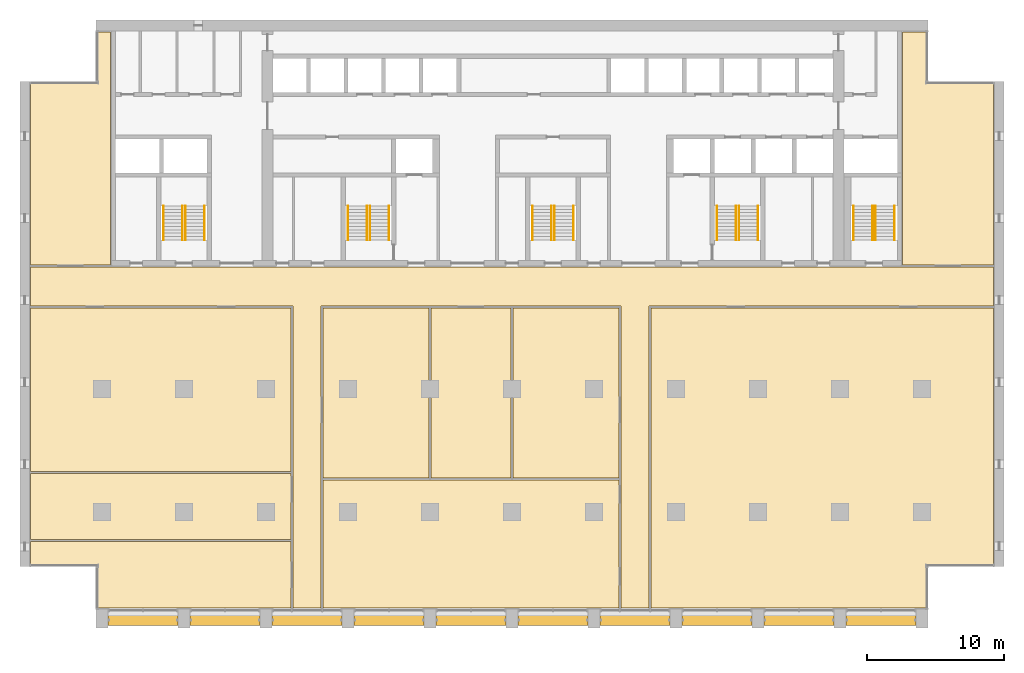
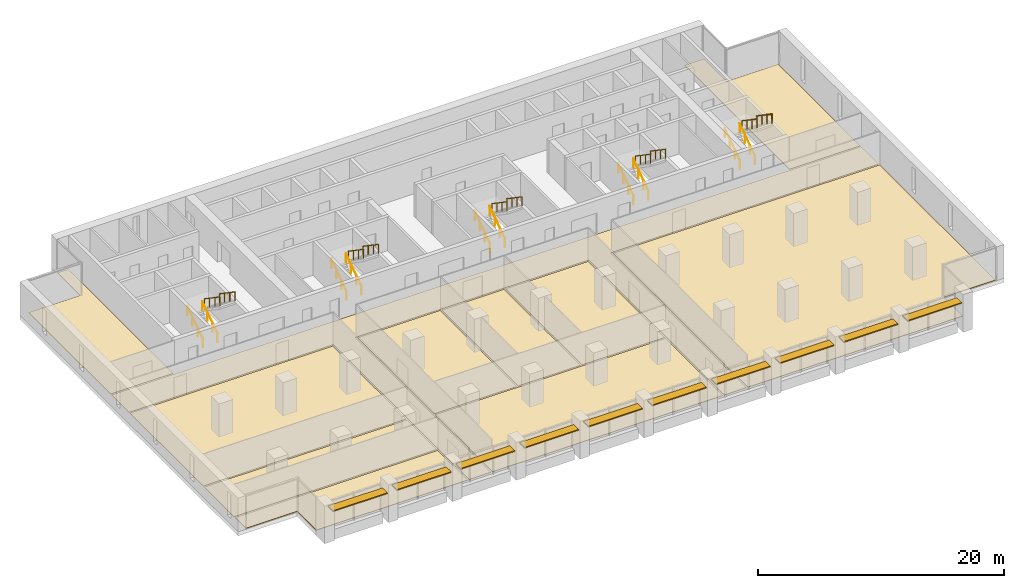
# One storey, part 15 of 15: 20 railings, 11 coverings, 10 shading devices, 5 elements without a shape of their own.
"""IFC4 building model written with IfcOpenShell, lengths in metres."""

from ifc_helpers import new_model, si_unit, direction, frame, origin, origin_2d, place, context, subcontext, project, spatial, polyline, rectangle, circle, outline, extrude, material, layer, layer_set, material_profile, profile_set, type_object, element, aggregate, save


model = new_model("IFC4")

# Units and contexts
model_context = context("Model", 3, precision=1e-05, world=origin(), true_north=direction((0.0, 1.0)))
body_context = subcontext(model_context, "Body", "Model", "MODEL_VIEW")
ifc_project = project(units=[si_unit("LENGTHUNIT", "METRE"), si_unit("AREAUNIT", "SQUARE_METRE"), si_unit("VOLUMEUNIT", "CUBIC_METRE"), si_unit("PLANEANGLEUNIT", "RADIAN"), si_unit("MASSUNIT", "GRAM", prefix="KILO")], contexts=[model_context])

# Site, building, storey
site_placement = place(None, origin())
site = spatial("IfcSite", under=ifc_project, at=site_placement, CompositionType="ELEMENT")
building_placement = place(site_placement, origin())
building = spatial("IfcBuilding", under=site, at=building_placement, Name="Calvaro Tower", CompositionType="ELEMENT")
storey_placement = place(building_placement, frame((0.0, 0.0, 125.0)))
storey = spatial("IfcBuildingStorey", under=building, at=storey_placement, Name="L31", CompositionType="ELEMENT", Elevation=125.0)

# Shading devices
ifc_material_1 = material(Name="Anodised aluminium", Category="aluminium")
ifc_material_profile = material_profile(ifc_material_1, rectangle(XDim=0.800048828125, YDim=0.10009765625, at=origin_2d()), Name="Brise-soleil blade 800 x 100")
ifc_profile_set = profile_set([ifc_material_profile], Name="Anodised aluminium")
shading_device_type = type_object("IfcShadingDeviceType", Name="Brise-soleil blade 800 x 100", PredefinedType="JALOUSIE", material=ifc_profile_set)
for number, where, z_axis, x_axis, name in (
    (1, (6.449951171875, 2.10009765625, 2.39990234375), (1.0, 0.0, 0.0), (0.0, 1.0, 0.0), "Brise-soleil blade 1"),
    (2, (12.449951171875, 2.10009765625, 2.39990234375), (1.0, 0.0, 0.0), (0.0, 1.0, 0.0), "Brise-soleil blade 2"),
    (3, (18.449951171875, 2.10009765625, 2.39990234375), (1.0, 0.0, 0.0), (0.0, 1.0, 0.0), "Brise-soleil blade 3"),
    (4, (24.449951171875, 2.10009765625, 2.39990234375), (1.0, 0.0, 0.0), (0.0, 1.0, 0.0), "Brise-soleil blade 4"),
    (5, (30.449951171875, 2.10009765625, 2.39990234375), (1.0, 0.0, 0.0), (0.0, 1.0, 0.0), "Brise-soleil blade 5"),
    (6, (36.449951171875, 2.10009765625, 2.39990234375), (1.0, 0.0, 0.0), (0.0, 1.0, 0.0), "Brise-soleil blade 6"),
    (7, (42.449951171875, 2.10009765625, 2.39990234375), (1.0, 0.0, 0.0), (0.0, 1.0, 0.0), "Brise-soleil blade 7"),
    (8, (48.449951171875, 2.10009765625, 2.39990234375), (1.0, 0.0, 0.0), (0.0, 1.0, 0.0), "Brise-soleil blade 8"),
    (9, (54.449951171875, 2.10009765625, 2.39990234375), (1.0, 0.0, 0.0), (0.0, 1.0, 0.0), "Brise-soleil blade 9"),
    (10, (60.449951171875, 2.10009765625, 2.39990234375), (1.0, 0.0, 0.0), (0.0, 1.0, 0.0), "Brise-soleil blade 10"),
):
    element("IfcShadingDevice", number, at=place(storey_placement, frame(where, z_axis=z_axis, x_axis=x_axis)), inside=storey, type_object=shading_device_type, Name=name, PredefinedType="JALOUSIE", context=body_context, shape_type="SweptSolid", body=[
        extrude(rectangle(XDim=0.800048828125, YDim=0.10009765625, at=origin_2d()), origin(), (0.0, 0.0, 1.0), 5.10009765625),
    ])

# Coverings
ifc_material_2 = material(Name="Cement screed with carpet tile finish")
ifc_layer = layer(ifc_material_2, 0.050048828125)
ifc_layer_set = layer_set([ifc_layer], Name="Cement screed with carpet tile finish")
covering_type = type_object("IfcCoveringType", Name="Floor finish 50", PredefinedType="FLOORING", material=ifc_layer_set)
covering_1_placement = place(storey_placement, origin())
element("IfcCovering", 11, at=covering_1_placement, inside=storey, type_object=covering_type, Name="Floor finish 19.01", PredefinedType="FLOORING", context=body_context, shape_type="SweptSolid", body=[
    extrude(outline(polyline([(19.969970703125, 2.969970703125), (19.969970703125, 25.070068359375), (0.77001953125, 25.070068359375), (0.77001953125, 27.929931640625), (71.22998046875, 27.929931640625), (71.22998046875, 25.070068359375), (46.030029296875, 25.070068359375), (46.030029296875, 2.969970703125), (43.969970703125, 2.969970703125), (43.969970703125, 25.070068359375), (22.030029296875, 25.070068359375), (22.030029296875, 2.969970703125), (19.969970703125, 2.969970703125)])), origin(), (0.0, 0.0, 1.0), 0.050048828125),
])
covering_2_placement = place(storey_placement, origin())
element("IfcCovering", 12, at=covering_2_placement, inside=storey, type_object=covering_type, Name="Floor finish 19.02", PredefinedType="FLOORING", context=body_context, shape_type="SweptSolid", body=[
    extrude(outline(polyline([(19.830078125, 7.830078125), (19.830078125, 2.969970703125), (5.6201171875, 2.969970703125), (5.6201171875, 6.070068359375), (0.77001953125, 6.070068359375), (0.77001953125, 7.830078125), (19.830078125, 7.830078125)])), origin(), (0.0, 0.0, 1.0), 0.050048828125),
])
covering_3_placement = place(storey_placement, origin())
element("IfcCovering", 13, at=covering_3_placement, inside=storey, type_object=covering_type, Name="Floor finish 19.04", PredefinedType="FLOORING", context=body_context, shape_type="SweptSolid", body=[
    extrude(outline(polyline([(19.830078125, 12.830078125), (19.830078125, 7.969970703125), (0.77001953125, 7.969970703125), (0.77001953125, 12.830078125), (19.830078125, 12.830078125)])), origin(), (0.0, 0.0, 1.0), 0.050048828125),
])
covering_4_placement = place(storey_placement, origin())
element("IfcCovering", 14, at=covering_4_placement, inside=storey, type_object=covering_type, Name="Floor finish 19.09", PredefinedType="FLOORING", context=body_context, shape_type="SweptSolid", body=[
    extrude(outline(polyline([(19.830078125, 24.929931640625), (19.830078125, 12.969970703125), (0.77001953125, 12.969970703125), (0.77001953125, 24.929931640625), (19.830078125, 24.929931640625)])), origin(), (0.0, 0.0, 1.0), 0.050048828125),
])
covering_5_placement = place(storey_placement, origin())
element("IfcCovering", 15, at=covering_5_placement, inside=storey, type_object=covering_type, Name="Floor finish 19.03", PredefinedType="FLOORING", context=body_context, shape_type="SweptSolid", body=[
    extrude(outline(polyline([(22.169921875, 12.330078125), (43.830078125, 12.330078125), (43.830078125, 2.969970703125), (22.169921875, 2.969970703125), (22.169921875, 12.330078125)])), origin(), (0.0, 0.0, 1.0), 0.050048828125),
])
covering_6_placement = place(storey_placement, origin())
element("IfcCovering", 16, at=covering_6_placement, inside=storey, type_object=covering_type, Name="Floor finish 19.06", PredefinedType="FLOORING", context=body_context, shape_type="SweptSolid", body=[
    extrude(outline(polyline([(22.169921875, 12.469970703125), (22.169921875, 24.929931640625), (29.929931640625, 24.929931640625), (29.929931640625, 12.469970703125), (22.169921875, 12.469970703125)])), origin(), (0.0, 0.0, 1.0), 0.050048828125),
])
covering_7_placement = place(storey_placement, origin())
element("IfcCovering", 17, at=covering_7_placement, inside=storey, type_object=covering_type, Name="Floor finish 19.07", PredefinedType="FLOORING", context=body_context, shape_type="SweptSolid", body=[
    extrude(outline(polyline([(30.070068359375, 12.469970703125), (30.070068359375, 24.929931640625), (35.929931640625, 24.929931640625), (35.929931640625, 12.469970703125), (30.070068359375, 12.469970703125)])), origin(), (0.0, 0.0, 1.0), 0.050048828125),
])
covering_8_placement = place(storey_placement, origin())
element("IfcCovering", 18, at=covering_8_placement, inside=storey, type_object=covering_type, Name="Floor finish 19.08", PredefinedType="FLOORING", context=body_context, shape_type="SweptSolid", body=[
    extrude(outline(polyline([(36.070068359375, 12.469970703125), (36.070068359375, 24.929931640625), (43.830078125, 24.929931640625), (43.830078125, 12.469970703125), (36.070068359375, 12.469970703125)])), origin(), (0.0, 0.0, 1.0), 0.050048828125),
])
covering_9_placement = place(storey_placement, origin())
element("IfcCovering", 19, at=covering_9_placement, inside=storey, type_object=covering_type, Name="Floor finish 19.05", PredefinedType="FLOORING", context=body_context, shape_type="SweptSolid", body=[
    extrude(outline(polyline([(71.22998046875, 6.070068359375), (66.3798828125, 6.070068359375), (66.3798828125, 2.969970703125), (46.169921875, 2.969970703125), (46.169921875, 24.929931640625), (71.22998046875, 24.929931640625), (71.22998046875, 6.070068359375)])), origin(), (0.0, 0.0, 1.0), 0.050048828125),
])
covering_10_placement = place(storey_placement, origin())
element("IfcCovering", 20, at=covering_10_placement, inside=storey, type_object=covering_type, Name="Floor finish 19.10", PredefinedType="FLOORING", context=body_context, shape_type="SweptSolid", body=[
    extrude(outline(polyline([(6.6298828125, 28.070068359375), (0.77001953125, 28.070068359375), (0.77001953125, 41.429931640625), (5.6201171875, 41.429931640625), (5.6201171875, 45.1298828125), (6.6298828125, 45.1298828125), (6.6298828125, 28.070068359375)])), origin(), (0.0, 0.0, 1.0), 0.050048828125),
])
covering_11_placement = place(storey_placement, origin())
element("IfcCovering", 21, at=covering_11_placement, inside=storey, type_object=covering_type, Name="Floor finish 19.11", PredefinedType="FLOORING", context=body_context, shape_type="SweptSolid", body=[
    extrude(outline(polyline([(71.22998046875, 28.070068359375), (64.570068359375, 28.070068359375), (64.570068359375, 45.1298828125), (66.3798828125, 45.1298828125), (66.3798828125, 41.429931640625), (71.22998046875, 41.429931640625), (71.22998046875, 28.070068359375)])), origin(), (0.0, 0.0, 1.0), 0.050048828125),
])

# Stair, railings
ifc_material_3 = material(Name="Concrete C40/50", Category="concrete")
stair_type = type_object("IfcStairType", Name="Exit stair 1400 2 flights", PredefinedType="HALF_TURN_STAIR", material=ifc_material_3)
stair_1_placement = place(storey_placement, origin())
stair_1 = element("IfcStair", 22, at=stair_1_placement, inside=storey, type_object=stair_type, Name="Exit stair S1", PredefinedType="HALF_TURN_STAIR")
ifc_material_4 = material(Name="Stainless steel", Category="steel")
railing_type = type_object("IfcRailingType", Name="Stair handrail", PredefinedType="HANDRAIL", material=ifc_material_4)
railing_1_placement = place(storey_placement, frame((11.89990234375, 29.89990234375, 0.17041015625)))
railing_1 = element("IfcRailing", 23, at=railing_1_placement, type_object=railing_type, Name="Exit stair 1 handrail", PredefinedType="HANDRAIL", context=body_context, shape_type="SweptSolid", body=[
    extrude(circle(Radius=0.02392578125, at=origin_2d()), frame((0.0, 0.0, 0.8759765625), z_axis=(0.0, 0.826220514629, 0.563346839174), x_axis=(-1.0, 0.0, 0.0)), (0.0, 0.0, 1.0), 3.02587890625),
    extrude(circle(Radius=0.02099609375, at=origin_2d()), frame((0.0, 0.017333984375, 0.01171875)), (0.0, 0.0, 1.0), 0.851806640625),
    extrude(circle(Radius=0.02099609375, at=origin_2d()), frame((0.0, 0.833251953125, 0.568115234375)), (0.0, 0.0, 1.0), 0.851806640625),
    extrude(circle(Radius=0.02099609375, at=origin_2d()), frame((0.0, 1.666748046875, 1.136474609375)), (0.0, 0.0, 1.0), 0.851806640625),
    extrude(circle(Radius=0.02099609375, at=origin_2d()), frame((0.0, 2.482666015625, 1.69287109375)), (0.0, 0.0, 1.0), 0.851806640625),
])
railing_2_placement = place(storey_placement, frame((10.5, 29.89990234375, 0.17041015625)))
railing_2 = element("IfcRailing", 24, at=railing_2_placement, type_object=railing_type, Name="Exit stair 1 handrail", PredefinedType="HANDRAIL", context=body_context, shape_type="SweptSolid", body=[
    extrude(circle(Radius=0.02392578125, at=origin_2d()), frame((0.0, 0.0, 0.8759765625), z_axis=(0.0, 0.826220514629, 0.563346839174), x_axis=(-1.0, 0.0, 0.0)), (0.0, 0.0, 1.0), 3.02587890625),
    extrude(circle(Radius=0.02099609375, at=origin_2d()), frame((0.0, 0.017333984375, 0.01171875)), (0.0, 0.0, 1.0), 0.851806640625),
    extrude(circle(Radius=0.02099609375, at=origin_2d()), frame((0.0, 0.833251953125, 0.568115234375)), (0.0, 0.0, 1.0), 0.851806640625),
    extrude(circle(Radius=0.02099609375, at=origin_2d()), frame((0.0, 1.666748046875, 1.136474609375)), (0.0, 0.0, 1.0), 0.851806640625),
    extrude(circle(Radius=0.02099609375, at=origin_2d()), frame((0.0, 2.482666015625, 1.69287109375)), (0.0, 0.0, 1.0), 0.851806640625),
])
railing_3_placement = place(storey_placement, frame((12.10009765625, 32.39990234375, 2.04541015625)))
railing_3 = element("IfcRailing", 25, at=railing_3_placement, type_object=railing_type, Name="Exit stair 1 handrail", PredefinedType="HANDRAIL", context=body_context, shape_type="SweptSolid", body=[
    extrude(circle(Radius=0.02392578125, at=origin_2d()), frame((0.0, 0.0, 0.8759765625), z_axis=(0.0, -0.826220514629, 0.563346839174), x_axis=(1.0, 0.0, 0.0)), (0.0, 0.0, 1.0), 3.02587890625),
    extrude(circle(Radius=0.02099609375, at=origin_2d()), frame((0.0, -0.017333984375, 0.01171875)), (0.0, 0.0, 1.0), 0.851806640625),
    extrude(circle(Radius=0.02099609375, at=origin_2d()), frame((0.0, -0.833251953125, 0.568115234375)), (0.0, 0.0, 1.0), 0.851806640625),
    extrude(circle(Radius=0.02099609375, at=origin_2d()), frame((0.0, -1.666748046875, 1.136474609375)), (0.0, 0.0, 1.0), 0.851806640625),
    extrude(circle(Radius=0.02099609375, at=origin_2d()), frame((0.0, -2.482666015625, 1.69287109375)), (0.0, 0.0, 1.0), 0.851806640625),
])
railing_4_placement = place(storey_placement, frame((13.5, 32.39990234375, 2.04541015625)))
railing_4 = element("IfcRailing", 26, at=railing_4_placement, type_object=railing_type, Name="Exit stair 1 handrail", PredefinedType="HANDRAIL", context=body_context, shape_type="SweptSolid", body=[
    extrude(circle(Radius=0.02392578125, at=origin_2d()), frame((0.0, 0.0, 0.8759765625), z_axis=(0.0, -0.826220514629, 0.563346839174), x_axis=(1.0, 0.0, 0.0)), (0.0, 0.0, 1.0), 3.02587890625),
    extrude(circle(Radius=0.02099609375, at=origin_2d()), frame((0.0, -0.017333984375, 0.01171875)), (0.0, 0.0, 1.0), 0.851806640625),
    extrude(circle(Radius=0.02099609375, at=origin_2d()), frame((0.0, -0.833251953125, 0.568115234375)), (0.0, 0.0, 1.0), 0.851806640625),
    extrude(circle(Radius=0.02099609375, at=origin_2d()), frame((0.0, -1.666748046875, 1.136474609375)), (0.0, 0.0, 1.0), 0.851806640625),
    extrude(circle(Radius=0.02099609375, at=origin_2d()), frame((0.0, -2.482666015625, 1.69287109375)), (0.0, 0.0, 1.0), 0.851806640625),
])
aggregate(stair_1, [railing_1, railing_2, railing_3, railing_4])

stair_2_placement = place(storey_placement, origin())
stair_2 = element("IfcStair", 27, at=stair_2_placement, inside=storey, type_object=stair_type, Name="Exit stair S2", PredefinedType="HALF_TURN_STAIR")
railing_5_placement = place(storey_placement, frame((25.39990234375, 29.89990234375, 0.17041015625)))
railing_5 = element("IfcRailing", 28, at=railing_5_placement, type_object=railing_type, Name="Exit stair 2 handrail", PredefinedType="HANDRAIL", context=body_context, shape_type="SweptSolid", body=[
    extrude(circle(Radius=0.02392578125, at=origin_2d()), frame((0.0, 0.0, 0.8759765625), z_axis=(0.0, 0.826220514629, 0.563346839174), x_axis=(-1.0, 0.0, 0.0)), (0.0, 0.0, 1.0), 3.02587890625),
    extrude(circle(Radius=0.02099609375, at=origin_2d()), frame((0.0, 0.017333984375, 0.01171875)), (0.0, 0.0, 1.0), 0.851806640625),
    extrude(circle(Radius=0.02099609375, at=origin_2d()), frame((0.0, 0.833251953125, 0.568115234375)), (0.0, 0.0, 1.0), 0.851806640625),
    extrude(circle(Radius=0.02099609375, at=origin_2d()), frame((0.0, 1.666748046875, 1.136474609375)), (0.0, 0.0, 1.0), 0.851806640625),
    extrude(circle(Radius=0.02099609375, at=origin_2d()), frame((0.0, 2.482666015625, 1.69287109375)), (0.0, 0.0, 1.0), 0.851806640625),
])
railing_6_placement = place(storey_placement, frame((24.0, 29.89990234375, 0.17041015625)))
railing_6 = element("IfcRailing", 29, at=railing_6_placement, type_object=railing_type, Name="Exit stair 2 handrail", PredefinedType="HANDRAIL", context=body_context, shape_type="SweptSolid", body=[
    extrude(circle(Radius=0.02392578125, at=origin_2d()), frame((0.0, 0.0, 0.8759765625), z_axis=(0.0, 0.826220514629, 0.563346839174), x_axis=(-1.0, 0.0, 0.0)), (0.0, 0.0, 1.0), 3.02587890625),
    extrude(circle(Radius=0.02099609375, at=origin_2d()), frame((0.0, 0.017333984375, 0.01171875)), (0.0, 0.0, 1.0), 0.851806640625),
    extrude(circle(Radius=0.02099609375, at=origin_2d()), frame((0.0, 0.833251953125, 0.568115234375)), (0.0, 0.0, 1.0), 0.851806640625),
    extrude(circle(Radius=0.02099609375, at=origin_2d()), frame((0.0, 1.666748046875, 1.136474609375)), (0.0, 0.0, 1.0), 0.851806640625),
    extrude(circle(Radius=0.02099609375, at=origin_2d()), frame((0.0, 2.482666015625, 1.69287109375)), (0.0, 0.0, 1.0), 0.851806640625),
])
railing_7_placement = place(storey_placement, frame((25.60009765625, 32.39990234375, 2.04541015625)))
railing_7 = element("IfcRailing", 30, at=railing_7_placement, type_object=railing_type, Name="Exit stair 2 handrail", PredefinedType="HANDRAIL", context=body_context, shape_type="SweptSolid", body=[
    extrude(circle(Radius=0.02392578125, at=origin_2d()), frame((0.0, 0.0, 0.8759765625), z_axis=(0.0, -0.826220514629, 0.563346839174), x_axis=(1.0, 0.0, 0.0)), (0.0, 0.0, 1.0), 3.02587890625),
    extrude(circle(Radius=0.02099609375, at=origin_2d()), frame((0.0, -0.017333984375, 0.01171875)), (0.0, 0.0, 1.0), 0.851806640625),
    extrude(circle(Radius=0.02099609375, at=origin_2d()), frame((0.0, -0.833251953125, 0.568115234375)), (0.0, 0.0, 1.0), 0.851806640625),
    extrude(circle(Radius=0.02099609375, at=origin_2d()), frame((0.0, -1.666748046875, 1.136474609375)), (0.0, 0.0, 1.0), 0.851806640625),
    extrude(circle(Radius=0.02099609375, at=origin_2d()), frame((0.0, -2.482666015625, 1.69287109375)), (0.0, 0.0, 1.0), 0.851806640625),
])
railing_8_placement = place(storey_placement, frame((27.0, 32.39990234375, 2.04541015625)))
railing_8 = element("IfcRailing", 31, at=railing_8_placement, type_object=railing_type, Name="Exit stair 2 handrail", PredefinedType="HANDRAIL", context=body_context, shape_type="SweptSolid", body=[
    extrude(circle(Radius=0.02392578125, at=origin_2d()), frame((0.0, 0.0, 0.8759765625), z_axis=(0.0, -0.826220514629, 0.563346839174), x_axis=(1.0, 0.0, 0.0)), (0.0, 0.0, 1.0), 3.02587890625),
    extrude(circle(Radius=0.02099609375, at=origin_2d()), frame((0.0, -0.017333984375, 0.01171875)), (0.0, 0.0, 1.0), 0.851806640625),
    extrude(circle(Radius=0.02099609375, at=origin_2d()), frame((0.0, -0.833251953125, 0.568115234375)), (0.0, 0.0, 1.0), 0.851806640625),
    extrude(circle(Radius=0.02099609375, at=origin_2d()), frame((0.0, -1.666748046875, 1.136474609375)), (0.0, 0.0, 1.0), 0.851806640625),
    extrude(circle(Radius=0.02099609375, at=origin_2d()), frame((0.0, -2.482666015625, 1.69287109375)), (0.0, 0.0, 1.0), 0.851806640625),
])
aggregate(stair_2, [railing_5, railing_6, railing_7, railing_8])

stair_3_placement = place(storey_placement, origin())
stair_3 = element("IfcStair", 32, at=stair_3_placement, inside=storey, type_object=stair_type, Name="Exit stair S3", PredefinedType="HALF_TURN_STAIR")
railing_9_placement = place(storey_placement, frame((38.89990234375, 29.89990234375, 0.17041015625)))
railing_9 = element("IfcRailing", 33, at=railing_9_placement, type_object=railing_type, Name="Exit stair 3 handrail", PredefinedType="HANDRAIL", context=body_context, shape_type="SweptSolid", body=[
    extrude(circle(Radius=0.02392578125, at=origin_2d()), frame((0.0, 0.0, 0.8759765625), z_axis=(0.0, 0.826220514629, 0.563346839174), x_axis=(-1.0, 0.0, 0.0)), (0.0, 0.0, 1.0), 3.02587890625),
    extrude(circle(Radius=0.02099609375, at=origin_2d()), frame((0.0, 0.017333984375, 0.01171875)), (0.0, 0.0, 1.0), 0.851806640625),
    extrude(circle(Radius=0.02099609375, at=origin_2d()), frame((0.0, 0.833251953125, 0.568115234375)), (0.0, 0.0, 1.0), 0.851806640625),
    extrude(circle(Radius=0.02099609375, at=origin_2d()), frame((0.0, 1.666748046875, 1.136474609375)), (0.0, 0.0, 1.0), 0.851806640625),
    extrude(circle(Radius=0.02099609375, at=origin_2d()), frame((0.0, 2.482666015625, 1.69287109375)), (0.0, 0.0, 1.0), 0.851806640625),
])
railing_10_placement = place(storey_placement, frame((37.5, 29.89990234375, 0.17041015625)))
railing_10 = element("IfcRailing", 34, at=railing_10_placement, type_object=railing_type, Name="Exit stair 3 handrail", PredefinedType="HANDRAIL", context=body_context, shape_type="SweptSolid", body=[
    extrude(circle(Radius=0.02392578125, at=origin_2d()), frame((0.0, 0.0, 0.8759765625), z_axis=(0.0, 0.826220514629, 0.563346839174), x_axis=(-1.0, 0.0, 0.0)), (0.0, 0.0, 1.0), 3.02587890625),
    extrude(circle(Radius=0.02099609375, at=origin_2d()), frame((0.0, 0.017333984375, 0.01171875)), (0.0, 0.0, 1.0), 0.851806640625),
    extrude(circle(Radius=0.02099609375, at=origin_2d()), frame((0.0, 0.833251953125, 0.568115234375)), (0.0, 0.0, 1.0), 0.851806640625),
    extrude(circle(Radius=0.02099609375, at=origin_2d()), frame((0.0, 1.666748046875, 1.136474609375)), (0.0, 0.0, 1.0), 0.851806640625),
    extrude(circle(Radius=0.02099609375, at=origin_2d()), frame((0.0, 2.482666015625, 1.69287109375)), (0.0, 0.0, 1.0), 0.851806640625),
])
railing_11_placement = place(storey_placement, frame((39.10009765625, 32.39990234375, 2.04541015625)))
railing_11 = element("IfcRailing", 35, at=railing_11_placement, type_object=railing_type, Name="Exit stair 3 handrail", PredefinedType="HANDRAIL", context=body_context, shape_type="SweptSolid", body=[
    extrude(circle(Radius=0.02392578125, at=origin_2d()), frame((0.0, 0.0, 0.8759765625), z_axis=(0.0, -0.826220514629, 0.563346839174), x_axis=(1.0, 0.0, 0.0)), (0.0, 0.0, 1.0), 3.02587890625),
    extrude(circle(Radius=0.02099609375, at=origin_2d()), frame((0.0, -0.017333984375, 0.01171875)), (0.0, 0.0, 1.0), 0.851806640625),
    extrude(circle(Radius=0.02099609375, at=origin_2d()), frame((0.0, -0.833251953125, 0.568115234375)), (0.0, 0.0, 1.0), 0.851806640625),
    extrude(circle(Radius=0.02099609375, at=origin_2d()), frame((0.0, -1.666748046875, 1.136474609375)), (0.0, 0.0, 1.0), 0.851806640625),
    extrude(circle(Radius=0.02099609375, at=origin_2d()), frame((0.0, -2.482666015625, 1.69287109375)), (0.0, 0.0, 1.0), 0.851806640625),
])
railing_12_placement = place(storey_placement, frame((40.5, 32.39990234375, 2.04541015625)))
railing_12 = element("IfcRailing", 36, at=railing_12_placement, type_object=railing_type, Name="Exit stair 3 handrail", PredefinedType="HANDRAIL", context=body_context, shape_type="SweptSolid", body=[
    extrude(circle(Radius=0.02392578125, at=origin_2d()), frame((0.0, 0.0, 0.8759765625), z_axis=(0.0, -0.826220514629, 0.563346839174), x_axis=(1.0, 0.0, 0.0)), (0.0, 0.0, 1.0), 3.02587890625),
    extrude(circle(Radius=0.02099609375, at=origin_2d()), frame((0.0, -0.017333984375, 0.01171875)), (0.0, 0.0, 1.0), 0.851806640625),
    extrude(circle(Radius=0.02099609375, at=origin_2d()), frame((0.0, -0.833251953125, 0.568115234375)), (0.0, 0.0, 1.0), 0.851806640625),
    extrude(circle(Radius=0.02099609375, at=origin_2d()), frame((0.0, -1.666748046875, 1.136474609375)), (0.0, 0.0, 1.0), 0.851806640625),
    extrude(circle(Radius=0.02099609375, at=origin_2d()), frame((0.0, -2.482666015625, 1.69287109375)), (0.0, 0.0, 1.0), 0.851806640625),
])
aggregate(stair_3, [railing_9, railing_10, railing_11, railing_12])

stair_4_placement = place(storey_placement, origin())
stair_4 = element("IfcStair", 37, at=stair_4_placement, inside=storey, type_object=stair_type, Name="Exit stair S4", PredefinedType="HALF_TURN_STAIR")
railing_13_placement = place(storey_placement, frame((52.39990234375, 29.89990234375, 0.17041015625)))
railing_13 = element("IfcRailing", 38, at=railing_13_placement, type_object=railing_type, Name="Exit stair 4 handrail", PredefinedType="HANDRAIL", context=body_context, shape_type="SweptSolid", body=[
    extrude(circle(Radius=0.02392578125, at=origin_2d()), frame((0.0, 0.0, 0.8759765625), z_axis=(0.0, 0.826220514629, 0.563346839174), x_axis=(-1.0, 0.0, 0.0)), (0.0, 0.0, 1.0), 3.02587890625),
    extrude(circle(Radius=0.02099609375, at=origin_2d()), frame((0.0, 0.017333984375, 0.01171875)), (0.0, 0.0, 1.0), 0.851806640625),
    extrude(circle(Radius=0.02099609375, at=origin_2d()), frame((0.0, 0.833251953125, 0.568115234375)), (0.0, 0.0, 1.0), 0.851806640625),
    extrude(circle(Radius=0.02099609375, at=origin_2d()), frame((0.0, 1.666748046875, 1.136474609375)), (0.0, 0.0, 1.0), 0.851806640625),
    extrude(circle(Radius=0.02099609375, at=origin_2d()), frame((0.0, 2.482666015625, 1.69287109375)), (0.0, 0.0, 1.0), 0.851806640625),
])
railing_14_placement = place(storey_placement, frame((51.0, 29.89990234375, 0.17041015625)))
railing_14 = element("IfcRailing", 39, at=railing_14_placement, type_object=railing_type, Name="Exit stair 4 handrail", PredefinedType="HANDRAIL", context=body_context, shape_type="SweptSolid", body=[
    extrude(circle(Radius=0.02392578125, at=origin_2d()), frame((0.0, 0.0, 0.8759765625), z_axis=(0.0, 0.826220514629, 0.563346839174), x_axis=(-1.0, 0.0, 0.0)), (0.0, 0.0, 1.0), 3.02587890625),
    extrude(circle(Radius=0.02099609375, at=origin_2d()), frame((0.0, 0.017333984375, 0.01171875)), (0.0, 0.0, 1.0), 0.851806640625),
    extrude(circle(Radius=0.02099609375, at=origin_2d()), frame((0.0, 0.833251953125, 0.568115234375)), (0.0, 0.0, 1.0), 0.851806640625),
    extrude(circle(Radius=0.02099609375, at=origin_2d()), frame((0.0, 1.666748046875, 1.136474609375)), (0.0, 0.0, 1.0), 0.851806640625),
    extrude(circle(Radius=0.02099609375, at=origin_2d()), frame((0.0, 2.482666015625, 1.69287109375)), (0.0, 0.0, 1.0), 0.851806640625),
])
railing_15_placement = place(storey_placement, frame((52.60009765625, 32.39990234375, 2.04541015625)))
railing_15 = element("IfcRailing", 40, at=railing_15_placement, type_object=railing_type, Name="Exit stair 4 handrail", PredefinedType="HANDRAIL", context=body_context, shape_type="SweptSolid", body=[
    extrude(circle(Radius=0.02392578125, at=origin_2d()), frame((0.0, 0.0, 0.8759765625), z_axis=(0.0, -0.826220514629, 0.563346839174), x_axis=(1.0, 0.0, 0.0)), (0.0, 0.0, 1.0), 3.02587890625),
    extrude(circle(Radius=0.02099609375, at=origin_2d()), frame((0.0, -0.017333984375, 0.01171875)), (0.0, 0.0, 1.0), 0.851806640625),
    extrude(circle(Radius=0.02099609375, at=origin_2d()), frame((0.0, -0.833251953125, 0.568115234375)), (0.0, 0.0, 1.0), 0.851806640625),
    extrude(circle(Radius=0.02099609375, at=origin_2d()), frame((0.0, -1.666748046875, 1.136474609375)), (0.0, 0.0, 1.0), 0.851806640625),
    extrude(circle(Radius=0.02099609375, at=origin_2d()), frame((0.0, -2.482666015625, 1.69287109375)), (0.0, 0.0, 1.0), 0.851806640625),
])
railing_16_placement = place(storey_placement, frame((54.0, 32.39990234375, 2.04541015625)))
railing_16 = element("IfcRailing", 41, at=railing_16_placement, type_object=railing_type, Name="Exit stair 4 handrail", PredefinedType="HANDRAIL", context=body_context, shape_type="SweptSolid", body=[
    extrude(circle(Radius=0.02392578125, at=origin_2d()), frame((0.0, 0.0, 0.8759765625), z_axis=(0.0, -0.826220514629, 0.563346839174), x_axis=(1.0, 0.0, 0.0)), (0.0, 0.0, 1.0), 3.02587890625),
    extrude(circle(Radius=0.02099609375, at=origin_2d()), frame((0.0, -0.017333984375, 0.01171875)), (0.0, 0.0, 1.0), 0.851806640625),
    extrude(circle(Radius=0.02099609375, at=origin_2d()), frame((0.0, -0.833251953125, 0.568115234375)), (0.0, 0.0, 1.0), 0.851806640625),
    extrude(circle(Radius=0.02099609375, at=origin_2d()), frame((0.0, -1.666748046875, 1.136474609375)), (0.0, 0.0, 1.0), 0.851806640625),
    extrude(circle(Radius=0.02099609375, at=origin_2d()), frame((0.0, -2.482666015625, 1.69287109375)), (0.0, 0.0, 1.0), 0.851806640625),
])
aggregate(stair_4, [railing_13, railing_14, railing_15, railing_16])

stair_5_placement = place(storey_placement, origin())
stair_5 = element("IfcStair", 42, at=stair_5_placement, inside=storey, type_object=stair_type, Name="Exit stair S5", PredefinedType="HALF_TURN_STAIR")
railing_17_placement = place(storey_placement, frame((62.39990234375, 29.89990234375, 0.17041015625)))
railing_17 = element("IfcRailing", 43, at=railing_17_placement, type_object=railing_type, Name="Exit stair 5 handrail", PredefinedType="HANDRAIL", context=body_context, shape_type="SweptSolid", body=[
    extrude(circle(Radius=0.02392578125, at=origin_2d()), frame((0.0, 0.0, 0.8759765625), z_axis=(0.0, 0.826220514629, 0.563346839174), x_axis=(-1.0, 0.0, 0.0)), (0.0, 0.0, 1.0), 3.02587890625),
    extrude(circle(Radius=0.02099609375, at=origin_2d()), frame((0.0, 0.017333984375, 0.01171875)), (0.0, 0.0, 1.0), 0.851806640625),
    extrude(circle(Radius=0.02099609375, at=origin_2d()), frame((0.0, 0.833251953125, 0.568115234375)), (0.0, 0.0, 1.0), 0.851806640625),
    extrude(circle(Radius=0.02099609375, at=origin_2d()), frame((0.0, 1.666748046875, 1.136474609375)), (0.0, 0.0, 1.0), 0.851806640625),
    extrude(circle(Radius=0.02099609375, at=origin_2d()), frame((0.0, 2.482666015625, 1.69287109375)), (0.0, 0.0, 1.0), 0.851806640625),
])
railing_18_placement = place(storey_placement, frame((61.0, 29.89990234375, 0.17041015625)))
railing_18 = element("IfcRailing", 44, at=railing_18_placement, type_object=railing_type, Name="Exit stair 5 handrail", PredefinedType="HANDRAIL", context=body_context, shape_type="SweptSolid", body=[
    extrude(circle(Radius=0.02392578125, at=origin_2d()), frame((0.0, 0.0, 0.8759765625), z_axis=(0.0, 0.826220514629, 0.563346839174), x_axis=(-1.0, 0.0, 0.0)), (0.0, 0.0, 1.0), 3.02587890625),
    extrude(circle(Radius=0.02099609375, at=origin_2d()), frame((0.0, 0.017333984375, 0.01171875)), (0.0, 0.0, 1.0), 0.851806640625),
    extrude(circle(Radius=0.02099609375, at=origin_2d()), frame((0.0, 0.833251953125, 0.568115234375)), (0.0, 0.0, 1.0), 0.851806640625),
    extrude(circle(Radius=0.02099609375, at=origin_2d()), frame((0.0, 1.666748046875, 1.136474609375)), (0.0, 0.0, 1.0), 0.851806640625),
    extrude(circle(Radius=0.02099609375, at=origin_2d()), frame((0.0, 2.482666015625, 1.69287109375)), (0.0, 0.0, 1.0), 0.851806640625),
])
railing_19_placement = place(storey_placement, frame((62.60009765625, 32.39990234375, 2.04541015625)))
railing_19 = element("IfcRailing", 45, at=railing_19_placement, type_object=railing_type, Name="Exit stair 5 handrail", PredefinedType="HANDRAIL", context=body_context, shape_type="SweptSolid", body=[
    extrude(circle(Radius=0.02392578125, at=origin_2d()), frame((0.0, 0.0, 0.8759765625), z_axis=(0.0, -0.826220514629, 0.563346839174), x_axis=(1.0, 0.0, 0.0)), (0.0, 0.0, 1.0), 3.02587890625),
    extrude(circle(Radius=0.02099609375, at=origin_2d()), frame((0.0, -0.017333984375, 0.01171875)), (0.0, 0.0, 1.0), 0.851806640625),
    extrude(circle(Radius=0.02099609375, at=origin_2d()), frame((0.0, -0.833251953125, 0.568115234375)), (0.0, 0.0, 1.0), 0.851806640625),
    extrude(circle(Radius=0.02099609375, at=origin_2d()), frame((0.0, -1.666748046875, 1.136474609375)), (0.0, 0.0, 1.0), 0.851806640625),
    extrude(circle(Radius=0.02099609375, at=origin_2d()), frame((0.0, -2.482666015625, 1.69287109375)), (0.0, 0.0, 1.0), 0.851806640625),
])
railing_20_placement = place(storey_placement, frame((64.0, 32.39990234375, 2.04541015625)))
railing_20 = element("IfcRailing", 46, at=railing_20_placement, type_object=railing_type, Name="Exit stair 5 handrail", PredefinedType="HANDRAIL", context=body_context, shape_type="SweptSolid", body=[
    extrude(circle(Radius=0.02392578125, at=origin_2d()), frame((0.0, 0.0, 0.8759765625), z_axis=(0.0, -0.826220514629, 0.563346839174), x_axis=(1.0, 0.0, 0.0)), (0.0, 0.0, 1.0), 3.02587890625),
    extrude(circle(Radius=0.02099609375, at=origin_2d()), frame((0.0, -0.017333984375, 0.01171875)), (0.0, 0.0, 1.0), 0.851806640625),
    extrude(circle(Radius=0.02099609375, at=origin_2d()), frame((0.0, -0.833251953125, 0.568115234375)), (0.0, 0.0, 1.0), 0.851806640625),
    extrude(circle(Radius=0.02099609375, at=origin_2d()), frame((0.0, -1.666748046875, 1.136474609375)), (0.0, 0.0, 1.0), 0.851806640625),
    extrude(circle(Radius=0.02099609375, at=origin_2d()), frame((0.0, -2.482666015625, 1.69287109375)), (0.0, 0.0, 1.0), 0.851806640625),
])
aggregate(stair_5, [railing_17, railing_18, railing_19, railing_20])

save(model, "model.ifc")
